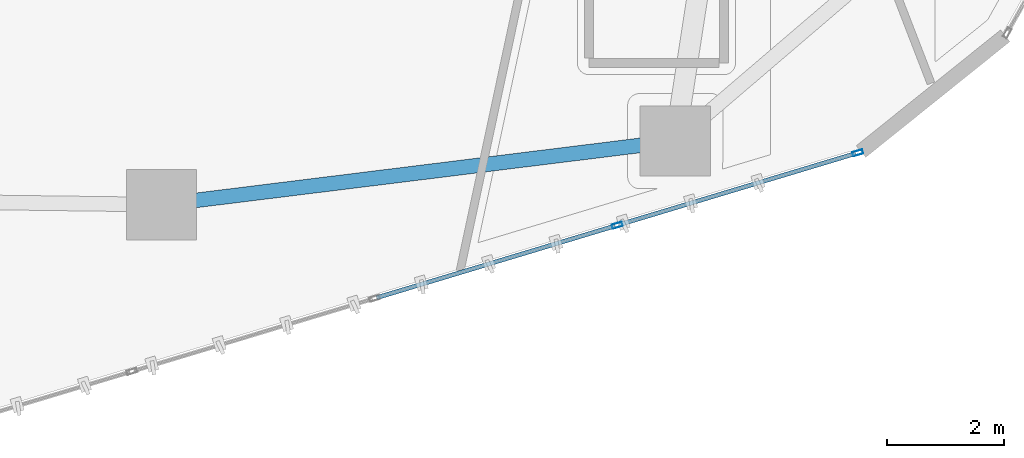
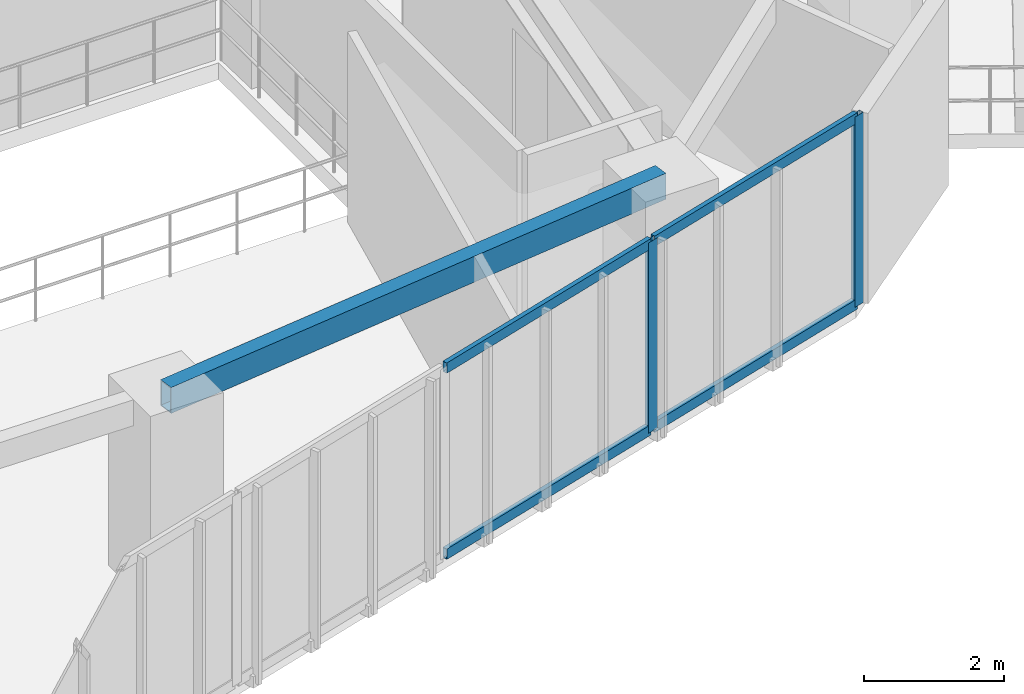
# One storey, part 5 of 21: 6 members, 1 beam, 1 element without a shape of its own.
"""IFC4 building model written with IfcOpenShell, lengths in metres."""

from ifc_helpers import new_model, si_unit, direction, frame, origin, origin_2d, place, context, subcontext, project, spatial, hollow_rectangle, extrude, source, transform, mapped, material, layer, layer_set, material_profile, profile_set, type_object, type_shapes, element, aggregate, save


model = new_model("IFC4")

# Units and contexts
model_context = context("Model", 3, precision=1e-05, world=origin(), true_north=direction((0.0, 1.0)))
body_context = subcontext(model_context, "Body", "Model", "MODEL_VIEW")
ifc_project = project(units=[si_unit("LENGTHUNIT", "METRE"), si_unit("AREAUNIT", "SQUARE_METRE"), si_unit("VOLUMEUNIT", "CUBIC_METRE"), si_unit("PLANEANGLEUNIT", "RADIAN"), si_unit("MASSUNIT", "GRAM", prefix="KILO")], contexts=[model_context])

# Site, building, storey
site_placement = place(None, origin())
site = spatial("IfcSite", under=ifc_project, at=site_placement, CompositionType="ELEMENT")
building_placement = place(site_placement, origin())
building = spatial("IfcBuilding", under=site, at=building_placement, Name="Talar Marvaseh", CompositionType="ELEMENT")
storey_placement = place(building_placement, frame((0.0, 0.0, 139.800048828125)))
storey = spatial("IfcBuildingStorey", under=building, at=storey_placement, Name="L36", CompositionType="ELEMENT", Elevation=139.800048828125)

# Beam
ifc_material_1 = material(Name="Steel S355", Category="steel")
ifc_material_profile_1 = material_profile(ifc_material_1, hollow_rectangle(XDim=0.25, YDim=0.449951171875, WallThickness=0.01611328125, at=origin_2d()), Name="RHS450x250x16")
ifc_profile_set_1 = profile_set([ifc_material_profile_1], Name="Steel S355")
beam_type = type_object("IfcBeamType", Name="Zone 2 Perimeter Spandrel Beam RHS450x250x16", PredefinedType="SPANDREL", material=ifc_profile_set_1)
beam_placement = place(storey_placement, frame((31.570068359375, 14.26806640625, 3.0849609375), z_axis=(-0.992426007218, -0.122843885468, 0.0), x_axis=(0.122843885468, -0.992426007218, 0.0)))
element("IfcBeam", 1, at=beam_placement, inside=storey, type_object=beam_type, Name="L36 Zone 2 Perimeter Spandrel Beam RHS450x250x16", PredefinedType="SPANDREL", context=body_context, shape_type="SweptSolid", body=[
    extrude(hollow_rectangle(XDim=0.25, YDim=0.449951171875, WallThickness=0.01611328125, at=origin_2d()), origin(), (0.0, 0.0, 1.0), 8.83203125),
])

# Curtain wall, members
ifc_material_2 = material(Name="Architectural Aluminium", Category="aluminium")
ifc_layer = layer(ifc_material_2, 0.199951171875)
ifc_layer_set = layer_set([ifc_layer], Name="Architectural Aluminium")
curtain_wall_type = type_object("IfcCurtainWallType", Name="Unitised Acoustic Library Curtain Wall Z2", PredefinedType="NOTDEFINED", material=ifc_layer_set)
curtain_wall_placement = place(storey_placement, origin())
curtain_wall = element("IfcCurtainWall", 2, at=curtain_wall_placement, inside=storey, type_object=curtain_wall_type, Name="L36 Unitised Acoustic Library Curtain Wall Z2", PredefinedType="NOTDEFINED")
ifc_material_profile_2 = material_profile(ifc_material_2, hollow_rectangle(XDim=0.074951171875, YDim=0.179931640625, WallThickness=0.0048828125, at=origin_2d()), Name="RHS180x75x5")
ifc_profile_set_2 = profile_set([ifc_material_profile_2], Name="Architectural Aluminium")
member_type_1 = type_object("IfcMemberType", Name="Unitised Curtain Wall Standard Mullion RHS180x75x5", PredefinedType="MULLION", material=ifc_profile_set_2)
shared_shape_1 = source(origin(), body_context, "Body", "SweptSolid", [
    extrude(hollow_rectangle(XDim=0.074951171875, YDim=0.179931640625, WallThickness=0.0048828125, at=origin_2d()), origin(), (0.0, 0.0, 1.0), 3.31005859375),
])
type_shapes(member_type_1, [shared_shape_1])
member_1_placement = place(storey_placement, frame((34.684814453125, 14.06689453125, 0.0), z_axis=(0.0, 0.0, 1.0), x_axis=(0.288342924167, -0.9575272101, 0.0)))
member_1 = element("IfcMember", 3, at=member_1_placement, type_object=member_type_1, Name="CW-Z2 mullion 1", PredefinedType="MULLION", context=body_context, shape_type="MappedRepresentation", body=[
    mapped(shared_shape_1, transform((0.0, 0.0, 0.0), x_axis=(1.0, 0.0, 0.0), y_axis=(0.0, 1.0, 0.0), z_axis=(0.0, 0.0, 1.0), scale=1.0)),
])
member_2_placement = place(storey_placement, frame((30.580810546875, 12.8310546875, 0.0), z_axis=(0.0, 0.0, 1.0), x_axis=(0.288342924167, -0.9575272101, 0.0)))
member_2 = element("IfcMember", 4, at=member_2_placement, type_object=member_type_1, Name="CW-Z2 mullion 2", PredefinedType="MULLION", context=body_context, shape_type="MappedRepresentation", body=[
    mapped(shared_shape_1, transform((0.0, 0.0, 0.0), x_axis=(1.0, 0.0, 0.0), y_axis=(0.0, 1.0, 0.0), z_axis=(0.0, 0.0, 1.0), scale=1.0)),
])
ifc_material_profile_3 = material_profile(ifc_material_2, hollow_rectangle(XDim=0.074951171875, YDim=0.179931640625, WallThickness=0.0048828125, at=origin_2d()), Name="RHS180x75x5")
ifc_profile_set_3 = profile_set([ifc_material_profile_3], Name="Architectural Aluminium")
member_type_2 = type_object("IfcMemberType", Name="Unitised Curtain Wall Transom RHS180x75x5", PredefinedType="USERDEFINED", material=ifc_profile_set_3)
shared_shape_2 = source(origin(), body_context, "Body", "SweptSolid", [
    extrude(hollow_rectangle(XDim=0.074951171875, YDim=0.179931640625, WallThickness=0.0048828125, at=origin_2d()), origin(), (0.0, 0.0, 1.0), 4.24853515625),
])
member_3_placement = place(storey_placement, frame((30.544921875, 12.8203125, 0.037353515625), z_axis=(-0.957523674213, -0.288354665858, 0.0), x_axis=(0.288354665858, -0.957523674213, 0.0)))
member_3 = element("IfcMember", 5, at=member_3_placement, type_object=member_type_2, Name="CW-Z2 transom 2.1", ObjectType="TRANSOM", PredefinedType="USERDEFINED", context=body_context, shape_type="MappedRepresentation", body=[
    mapped(shared_shape_2, transform((0.0, 0.0, 0.0), x_axis=(1.0, 0.0, 0.0), y_axis=(0.0, 1.0, 0.0), z_axis=(0.0, 0.0, 1.0), scale=1.0)),
])
member_4_placement = place(storey_placement, frame((30.544921875, 12.8203125, 3.2724609375), z_axis=(-0.957523674213, -0.288354665858, 0.0), x_axis=(0.288354665858, -0.957523674213, 0.0)))
member_4 = element("IfcMember", 6, at=member_4_placement, type_object=member_type_2, Name="CW-Z2 transom 2.2", ObjectType="TRANSOM", PredefinedType="USERDEFINED", context=body_context, shape_type="MappedRepresentation", body=[
    mapped(shared_shape_2, transform((0.0, 0.0, 0.0), x_axis=(1.0, 0.0, 0.0), y_axis=(0.0, 1.0, 0.0), z_axis=(0.0, 0.0, 1.0), scale=1.0)),
])
shared_shape_3 = source(origin(), body_context, "Body", "SweptSolid", [
    extrude(hollow_rectangle(XDim=0.074951171875, YDim=0.179931640625, WallThickness=0.0048828125, at=origin_2d()), origin(), (0.0, 0.0, 1.0), 4.2109375),
])
type_shapes(member_type_2, [shared_shape_2, shared_shape_3])
member_5_placement = place(storey_placement, frame((34.64892578125, 14.05615234375, 0.037353515625), z_axis=(-0.957535383004, -0.288315782252, 0.0), x_axis=(0.288315782252, -0.957535383004, 0.0)))
member_5 = element("IfcMember", 7, at=member_5_placement, type_object=member_type_2, Name="CW-Z2 transom 1.1", ObjectType="TRANSOM", PredefinedType="USERDEFINED", context=body_context, shape_type="MappedRepresentation", body=[
    mapped(shared_shape_3, transform((0.0, 0.0, 0.0), x_axis=(1.0, 0.0, 0.0), y_axis=(0.0, 1.0, 0.0), z_axis=(0.0, 0.0, 1.0), scale=1.0)),
])
member_6_placement = place(storey_placement, frame((34.64892578125, 14.05615234375, 3.2724609375), z_axis=(-0.957535383004, -0.288315782252, 0.0), x_axis=(0.288315782252, -0.957535383004, 0.0)))
member_6 = element("IfcMember", 8, at=member_6_placement, type_object=member_type_2, Name="CW-Z2 transom 1.2", ObjectType="TRANSOM", PredefinedType="USERDEFINED", context=body_context, shape_type="MappedRepresentation", body=[
    mapped(shared_shape_3, transform((0.0, 0.0, 0.0), x_axis=(1.0, 0.0, 0.0), y_axis=(0.0, 1.0, 0.0), z_axis=(0.0, 0.0, 1.0), scale=1.0)),
])
aggregate(curtain_wall, [member_1, member_2, member_5, member_6, member_3, member_4])

save(model, "model.ifc")
